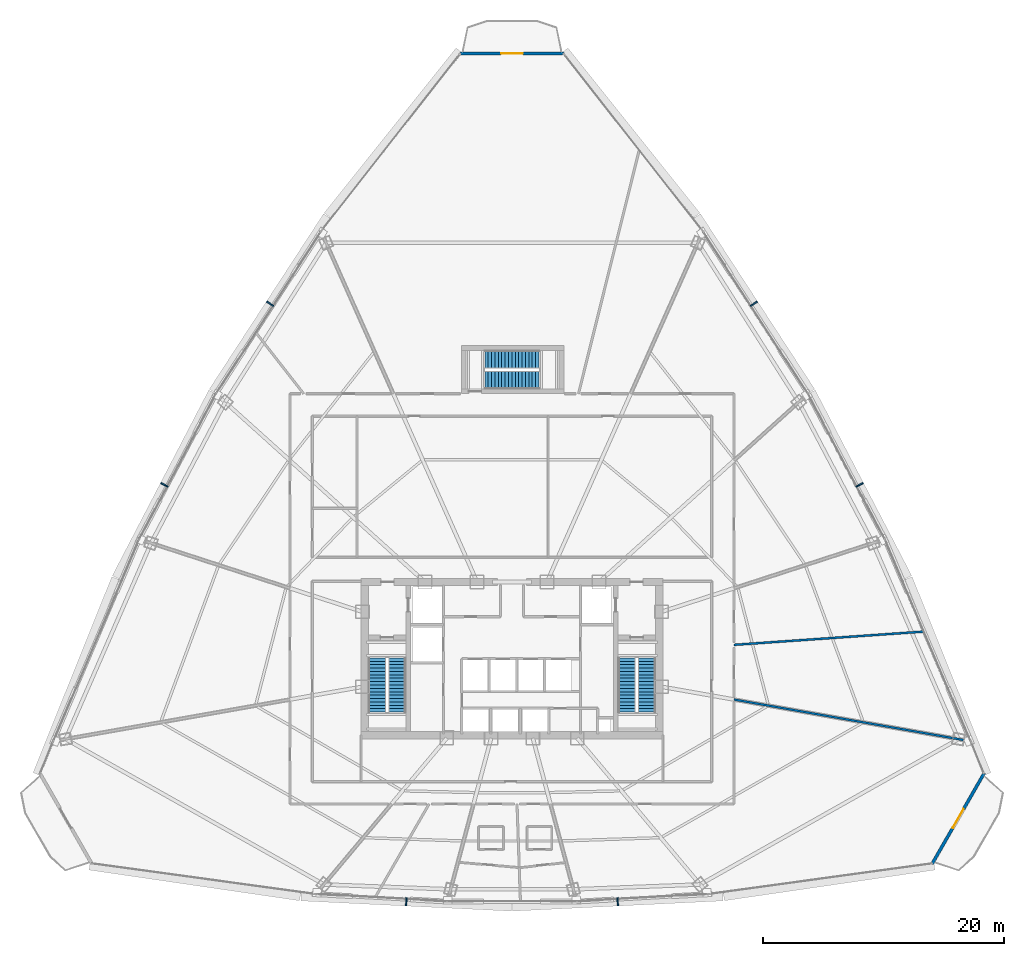
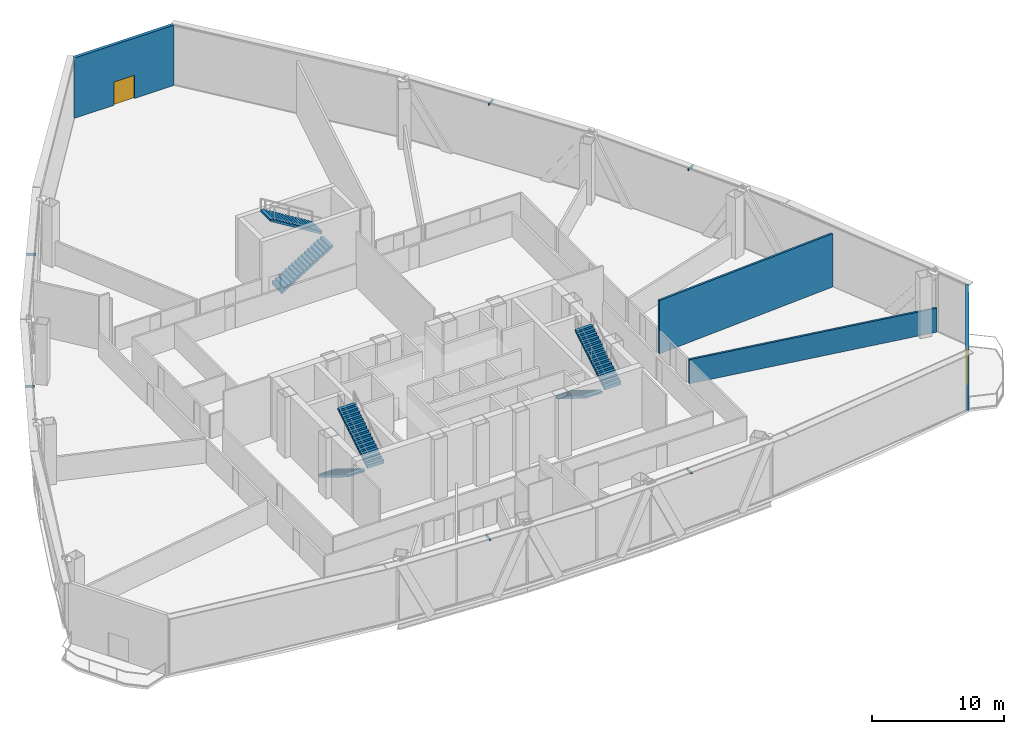
# One storey, part 36 of 40: 6 discrete accessories, 6 stair flights, 4 walls, 2 doors, 2 openings, 3 elements without a shape of their own.
"""IFC4 building model written with IfcOpenShell, lengths in metres."""

from ifc_helpers import new_model, si_unit, direction, frame, frame_2d, origin, origin_with_axes, origin_2d, place, context, subcontext, project, spatial, polyline, rectangle, outline, extrude, source, transform, mapped, material, layer, layer_set, type_object, element, fill, aggregate, save


model = new_model("IFC4")

# Units and contexts
model_context = context("Model", 3, precision=1e-05, world=origin(), true_north=direction((0.0, 1.0)))
body_context = subcontext(model_context, "Body", "Model", "MODEL_VIEW")
ifc_project = project(units=[si_unit("LENGTHUNIT", "METRE"), si_unit("AREAUNIT", "SQUARE_METRE"), si_unit("VOLUMEUNIT", "CUBIC_METRE"), si_unit("PLANEANGLEUNIT", "RADIAN"), si_unit("MASSUNIT", "GRAM", prefix="KILO"), si_unit("THERMODYNAMICTEMPERATUREUNIT", "KELVIN"), si_unit("POWERUNIT", "WATT")], contexts=[model_context])

# Site, building, storey
site_placement = place(None, origin())
site = spatial("IfcSite", under=ifc_project, at=site_placement, CompositionType="ELEMENT")
building_placement = place(site_placement, origin())
building = spatial("IfcBuilding", under=site, at=building_placement, Name="Yunzhuo Pagoda Commons", CompositionType="ELEMENT")
storey_placement = place(building_placement, frame((0.0, 0.0, 170.31005859375)))
storey = spatial("IfcBuildingStorey", under=building, at=storey_placement, Name="L43", CompositionType="ELEMENT", Elevation=170.31005859375)

# Wall, opening, door
ifc_material_1 = material(Name="Precast concrete C40", Category="concrete")
ifc_layer_1 = layer(ifc_material_1, 0.260009765625)
ifc_layer_set_1 = layer_set([ifc_layer_1], Name="Precast concrete C40")
wall_type_1 = type_object("IfcWallType", Name="W-BAL1 Corner Balcony Threshold Wall 260", PredefinedType="STANDARD", material=ifc_layer_set_1)
wall_1_placement = place(storey_placement, frame((82.813720703125, 16.820556640625, 0.0), z_axis=(0.0, 0.0, 1.0), x_axis=(0.497939858886, 0.867211564114, 0.0)))
wall_1 = element("IfcWall", 1, at=wall_1_placement, inside=storey, type_object=wall_type_1, Name="L43 corner balcony wall V2", PredefinedType="STANDARD", context=body_context, shape_type="SweptSolid", body=[
    extrude(rectangle(XDim=8.696044921875, YDim=0.260009765625, at=frame_2d((4.34814453125, 0.0))), origin(), (0.0, 0.0, 1.0), 5.56982421875),
])
opening_1_placement = place(wall_1_placement, frame((3.447998046875, 0.0, 0.0)))
opening_1 = element("IfcOpeningElement", 2, at=opening_1_placement, cuts=wall_1, Name="Opening D-BAL1", PredefinedType="OPENING", context=body_context, shape_type="SweptSolid", body=[
    extrude(rectangle(XDim=1.800048828125, YDim=2.14990234375, at=frame_2d((0.89990234375, 1.074951171875))), frame((0.0, 0.14013671875, 0.0), z_axis=(0.0, -1.0, 0.0), x_axis=(1.0, 0.0, 0.0)), (0.0, 0.0, 1.0), 0.280029296875),
])
ifc_material_2 = material(Name="Anodized aluminium frame and tempered glazed leaf", Category="aluminium")
door_type = type_object("IfcDoorType", Name="D-BAL1 Corner Balcony Sliding Glazed Door 1800x2150", OperationType="DOUBLE_DOOR_SLIDING", PredefinedType="DOOR", material=ifc_material_2)
shared_shape_1 = source(origin(), body_context, "Body", "SweptSolid", [
    extrude(rectangle(XDim=1.800048828125, YDim=2.14990234375, at=frame_2d((0.89990234375, 1.074951171875))), frame((0.0, 0.02490234375, 0.0), z_axis=(0.0, -1.0, 0.0), x_axis=(1.0, 0.0, 0.0)), (0.0, 0.0, 1.0), 0.050048828125),
])
door_1_placement = place(opening_1_placement, origin_with_axes())
door_1 = element("IfcDoor", 3, at=door_1_placement, inside=storey, type_object=door_type, Name="L43 corner balcony sliding door V2", OperationType="DOUBLE_DOOR_SLIDING", OverallHeight=2.14990234375, OverallWidth=1.800048828125, PredefinedType="DOOR", context=body_context, shape_type="MappedRepresentation", body=[
    mapped(shared_shape_1, transform((0.0, 0.0, 0.0), scale=1.0)),
])
fill(opening_1, door_1)

wall_2_placement = place(storey_placement, frame((52.33056640625, 83.997802734375, 0.0), z_axis=(0.0, 0.0, 1.0), x_axis=(-1.0, 0.0, 0.0)))
wall_2 = element("IfcWall", 4, at=wall_2_placement, inside=storey, type_object=wall_type_1, Name="L43 corner balcony wall V3", PredefinedType="STANDARD", context=body_context, shape_type="SweptSolid", body=[
    extrude(rectangle(XDim=8.6611328125, YDim=0.260009765625, at=frame_2d((4.33056640625, 0.0))), origin(), (0.0, 0.0, 1.0), 5.56982421875),
])
opening_2_placement = place(wall_2_placement, frame((3.4306640625, 0.0, 0.0)))
opening_2 = element("IfcOpeningElement", 5, at=opening_2_placement, cuts=wall_2, Name="Opening D-BAL1", PredefinedType="OPENING", context=body_context, shape_type="SweptSolid", body=[
    extrude(rectangle(XDim=1.800048828125, YDim=2.14990234375, at=frame_2d((0.89990234375, 1.074951171875))), frame((0.0, 0.14013671875, 0.0), z_axis=(0.0, -1.0, 0.0), x_axis=(1.0, 0.0, 0.0)), (0.0, 0.0, 1.0), 0.280029296875),
])
door_2_placement = place(opening_2_placement, origin_with_axes())
door_2 = element("IfcDoor", 6, at=door_2_placement, inside=storey, type_object=door_type, Name="L43 corner balcony sliding door V3", OperationType="DOUBLE_DOOR_SLIDING", OverallHeight=2.14990234375, OverallWidth=1.800048828125, PredefinedType="DOOR", context=body_context, shape_type="MappedRepresentation", body=[
    mapped(shared_shape_1, transform((0.0, 0.0, 0.0), scale=1.0)),
])
fill(opening_2, door_2)

# Walls
ifc_material_3 = material(Name="Gypsum plasterboard on acoustic stud")
ifc_layer_2 = layer(ifc_material_3, 0.175048828125)
ifc_layer_set_2 = layer_set([ifc_layer_2], Name="Gypsum plasterboard on acoustic stud")
wall_type_2 = type_object("IfcWallType", Name="W-PRT3 Mid-Zone Demising Wall 175", PredefinedType="PARTITIONING", material=ifc_layer_set_2)
wall_3_placement = place(storey_placement, frame((66.39990234375, 34.98681640625, 0.0), z_axis=(0.0, 0.0, 1.0), x_axis=(0.997565064246, 0.069741971556, 0.0)))
element("IfcWall", 7, at=wall_3_placement, inside=storey, type_object=wall_type_2, Name="L43 interior wall IW-L43-RAD01", PredefinedType="PARTITIONING", context=body_context, shape_type="SweptSolid", body=[
    extrude(rectangle(XDim=15.805419921875, YDim=0.175048828125, at=frame_2d((7.90283203125, 0.0))), origin(), (0.0, 0.0, 1.0), 4.919921875),
])
wall_4_placement = place(storey_placement, frame((66.39990234375, 30.45556640625, 0.0), z_axis=(0.0, 0.0, 1.0), x_axis=(0.984808700761, -0.173642802629, 0.0)))
element("IfcWall", 8, at=wall_4_placement, inside=storey, type_object=wall_type_2, Name="L43 interior wall IW-L43-RAD15", PredefinedType="PARTITIONING", context=body_context, shape_type="SweptSolid", body=[
    extrude(rectangle(XDim=19.93408203125, YDim=0.175048828125, at=frame_2d((9.967041015625, 0.0))), origin(), (0.0, 0.0, 1.0), 2.219970703125),
])

# Stair, stair flights
ifc_material_4 = material(Name="Concrete C40", Category="concrete")
stair_type_1 = type_object("IfcStairType", Name="ST-C1 Core Smokeproof Stair ST1", PredefinedType="HALF_TURN_STAIR", material=ifc_material_4)
stair_1_placement = place(storey_placement, origin())
stair_1 = element("IfcStair", 9, at=stair_1_placement, inside=storey, type_object=stair_type_1, Name="L43 Core smokeproof stair ST1", PredefinedType="HALF_TURN_STAIR")
stair_flight_type_1 = type_object("IfcStairFlightType", Name="STF-C1 Core Stair Flight 1450", PredefinedType="STRAIGHT", material=ifc_material_4)
shared_shape_2 = source(origin(), body_context, "Body", "SweptSolid", [
    extrude(outline(polyline([(0.0, -0.14990234375), (0.0, 0.0), (0.0, 0.172119140625), (0.280029296875, 0.172119140625), (0.280029296875, 0.34423828125), (0.56005859375, 0.34423828125), (0.56005859375, 0.51611328125), (0.840087890625, 0.51611328125), (0.840087890625, 0.688232421875), (1.1201171875, 0.688232421875), (1.1201171875, 0.8603515625), (1.39990234375, 0.8603515625), (1.39990234375, 1.032470703125), (1.679931640625, 1.032470703125), (1.679931640625, 1.204345703125), (1.9599609375, 1.204345703125), (1.9599609375, 1.37646484375), (2.239990234375, 1.37646484375), (2.239990234375, 1.548583984375), (2.52001953125, 1.548583984375), (2.52001953125, 1.720703125), (2.800048828125, 1.720703125), (2.800048828125, 1.892578125), (3.080078125, 1.892578125), (3.080078125, 2.064697265625), (3.360107421875, 2.064697265625), (3.360107421875, 2.23681640625), (3.639892578125, 2.23681640625), (3.639892578125, 2.408935546875), (3.919921875, 2.408935546875), (3.919921875, 2.580810546875), (4.199951171875, 2.580810546875), (4.199951171875, 2.7529296875), (4.47998046875, 2.7529296875), (4.47998046875, 2.925048828125), (4.47998046875, 2.576904296875), (0.286376953125, 0.0), (0.050048828125, -0.14990234375), (0.0, -0.14990234375)])), frame((0.0, 0.72509765625, 0.0), z_axis=(0.0, -1.0, 0.0), x_axis=(1.0, 0.0, 0.0)), (0.0, 0.0, 1.0), 1.449951171875),
])
stair_flight_1_placement = place(storey_placement, frame((36.824951171875, 33.89990234375, 0.0), z_axis=(0.0, 0.0, 1.0), x_axis=(0.0, -1.0, 0.0)))
stair_flight_1 = element("IfcStairFlight", 10, at=stair_flight_1_placement, type_object=stair_flight_type_1, Name="ST1 flight 1", NumberOfRisers=17, NumberOfTreads=16, PredefinedType="STRAIGHT", RiserHeight=0.172058824, TreadLength=0.28, context=body_context, shape_type="MappedRepresentation", body=[
    mapped(shared_shape_2, transform((0.0, 0.0, 0.0), scale=1.0)),
])
stair_flight_2_placement = place(storey_placement, frame((38.47509765625, 29.419921875, 2.925048828125), z_axis=(0.0, 0.0, 1.0), x_axis=(0.0, 1.0, 0.0)))
stair_flight_2 = element("IfcStairFlight", 11, at=stair_flight_2_placement, type_object=stair_flight_type_1, Name="ST1 flight 2", NumberOfRisers=17, NumberOfTreads=16, PredefinedType="STRAIGHT", RiserHeight=0.172058824, TreadLength=0.28, context=body_context, shape_type="MappedRepresentation", body=[
    mapped(shared_shape_2, transform((0.0, 0.0, 0.0), scale=1.0)),
])
aggregate(stair_1, [stair_flight_1, stair_flight_2])

stair_type_2 = type_object("IfcStairType", Name="ST-C2 Core Smokeproof Stair ST2", PredefinedType="HALF_TURN_STAIR", material=ifc_material_4)
stair_2_placement = place(storey_placement, origin())
stair_2 = element("IfcStair", 12, at=stair_2_placement, inside=storey, type_object=stair_type_2, Name="L43 Core smokeproof stair ST2", PredefinedType="HALF_TURN_STAIR")
stair_flight_type_2 = type_object("IfcStairFlightType", Name="STF-C2 Core Stair Flight 1460", PredefinedType="STRAIGHT", material=ifc_material_4)
stair_flight_3_placement = place(storey_placement, frame((57.52490234375, 33.89990234375, 0.0), z_axis=(0.0, 0.0, 1.0), x_axis=(0.0, -1.0, 0.0)))
stair_flight_3 = element("IfcStairFlight", 13, at=stair_flight_3_placement, type_object=stair_flight_type_2, Name="ST2 flight 1", NumberOfRisers=17, NumberOfTreads=16, PredefinedType="STRAIGHT", RiserHeight=0.172058824, TreadLength=0.28, context=body_context, shape_type="MappedRepresentation", body=[
    mapped(shared_shape_2, transform((0.0, 0.0, 0.0), scale=1.0)),
])
stair_flight_4_placement = place(storey_placement, frame((59.175048828125, 29.419921875, 2.925048828125), z_axis=(0.0, 0.0, 1.0), x_axis=(0.0, 1.0, 0.0)))
stair_flight_4 = element("IfcStairFlight", 14, at=stair_flight_4_placement, type_object=stair_flight_type_2, Name="ST2 flight 2", NumberOfRisers=17, NumberOfTreads=16, PredefinedType="STRAIGHT", RiserHeight=0.172058824, TreadLength=0.28, context=body_context, shape_type="MappedRepresentation", body=[
    mapped(shared_shape_2, transform((0.0, 0.0, 0.0), scale=1.0)),
])
aggregate(stair_2, [stair_flight_3, stair_flight_4])

stair_type_3 = type_object("IfcStairType", Name="ST-C3 North Tower Smokeproof Stair ST3", PredefinedType="HALF_TURN_STAIR", material=ifc_material_4)
stair_3_placement = place(storey_placement, origin())
stair_3 = element("IfcStair", 15, at=stair_3_placement, inside=storey, type_object=stair_type_3, Name="L43 North tower smokeproof stair ST3", PredefinedType="HALF_TURN_STAIR")
stair_flight_type_3 = type_object("IfcStairFlightType", Name="STF-C3 North Stair Flight 1500", PredefinedType="STRAIGHT", material=ifc_material_4)
shared_shape_3 = source(origin(), body_context, "Body", "SweptSolid", [
    extrude(outline(polyline([(0.0, -0.14990234375), (0.0, 0.0), (0.0, 0.172119140625), (0.280029296875, 0.172119140625), (0.280029296875, 0.34423828125), (0.56005859375, 0.34423828125), (0.56005859375, 0.51611328125), (0.840087890625, 0.51611328125), (0.840087890625, 0.688232421875), (1.1201171875, 0.688232421875), (1.1201171875, 0.8603515625), (1.39990234375, 0.8603515625), (1.39990234375, 1.032470703125), (1.679931640625, 1.032470703125), (1.679931640625, 1.204345703125), (1.9599609375, 1.204345703125), (1.9599609375, 1.37646484375), (2.239990234375, 1.37646484375), (2.239990234375, 1.548583984375), (2.52001953125, 1.548583984375), (2.52001953125, 1.720703125), (2.800048828125, 1.720703125), (2.800048828125, 1.892578125), (3.080078125, 1.892578125), (3.080078125, 2.064697265625), (3.360107421875, 2.064697265625), (3.360107421875, 2.23681640625), (3.639892578125, 2.23681640625), (3.639892578125, 2.408935546875), (3.919921875, 2.408935546875), (3.919921875, 2.580810546875), (4.199951171875, 2.580810546875), (4.199951171875, 2.7529296875), (4.47998046875, 2.7529296875), (4.47998046875, 2.925048828125), (4.47998046875, 2.576904296875), (0.286376953125, 0.0), (0.050048828125, -0.14990234375), (0.0, -0.14990234375)])), frame((0.0, 0.75, 0.0), z_axis=(0.0, -1.0, 0.0), x_axis=(1.0, 0.0, 0.0)), (0.0, 0.0, 1.0), 1.5),
])
stair_flight_5_placement = place(storey_placement, frame((45.75, 56.949951171875, 0.0), z_axis=(0.0, 0.0, 1.0), x_axis=(1.0, 0.0, 0.0)))
stair_flight_5 = element("IfcStairFlight", 16, at=stair_flight_5_placement, type_object=stair_flight_type_3, Name="ST3 flight 1", NumberOfRisers=17, NumberOfTreads=16, PredefinedType="STRAIGHT", RiserHeight=0.172058824, TreadLength=0.28, context=body_context, shape_type="MappedRepresentation", body=[
    mapped(shared_shape_3, transform((0.0, 0.0, 0.0), scale=1.0)),
])
stair_flight_6_placement = place(storey_placement, frame((50.22998046875, 58.64990234375, 2.925048828125), z_axis=(0.0, 0.0, 1.0), x_axis=(-1.0, 0.0, 0.0)))
stair_flight_6 = element("IfcStairFlight", 17, at=stair_flight_6_placement, type_object=stair_flight_type_3, Name="ST3 flight 2", NumberOfRisers=17, NumberOfTreads=16, PredefinedType="STRAIGHT", RiserHeight=0.172058824, TreadLength=0.28, context=body_context, shape_type="MappedRepresentation", body=[
    mapped(shared_shape_3, transform((0.0, 0.0, 0.0), scale=1.0)),
])
aggregate(stair_3, [stair_flight_5, stair_flight_6])

# Discrete accessories
ifc_material_5 = material(Name="Anodized aluminium 6063-T6", Category="aluminium")
discrete_accessory_type = type_object("IfcDiscreteAccessoryType", Name="BK-SUN1 Sunshade Outrigger Bracket", PredefinedType="BRACKET", material=ifc_material_5)
shared_shape_4 = source(origin(), body_context, "Body", "SweptSolid", [
    extrude(rectangle(XDim=0.1201171875, YDim=0.679931640625, at=origin_2d()), origin(), (0.0, 0.0, 1.0), 0.179931640625),
])
for number, where, z_axis, x_axis, name in (
    (18, (39.239990234375, 13.70556640625, 5.35986328125), (0.0, 0.0, 1.0), (0.998818043775, -0.04860571396, 0.0), "L43 sunshade outrigger bracket F1.2"),
    (19, (56.760009765625, 13.70556640625, 5.35986328125), (0.0, 0.0, 1.0), (0.998818043775, 0.04860571396, 0.0), "L43 sunshade outrigger bracket F1.3"),
    (20, (76.80810546875, 48.247314453125, 5.35986328125), (0.0, 0.0, 1.0), (-0.461206683033, 0.88729273384, 0.0), "L43 sunshade outrigger bracket F2.2"),
    (21, (68.0478515625, 63.25439453125, 5.35986328125), (0.0, 0.0, 1.0), (-0.545853380833, 0.837880711458, 0.0), "L43 sunshade outrigger bracket F2.3"),
    (22, (27.9521484375, 63.25439453125, 5.35986328125), (0.0, 0.0, 1.0), (-0.545853380833, -0.837880711458, 0.0), "L43 sunshade outrigger bracket F3.2"),
    (23, (19.19189453125, 48.247314453125, 5.35986328125), (0.0, 0.0, 1.0), (-0.461206683033, -0.88729273384, 0.0), "L43 sunshade outrigger bracket F3.3"),
):
    element("IfcDiscreteAccessory", number, at=place(storey_placement, frame(where, z_axis=z_axis, x_axis=x_axis)), inside=storey, type_object=discrete_accessory_type, Name=name, PredefinedType="BRACKET", context=body_context, shape_type="MappedRepresentation", body=[
        mapped(shared_shape_4, transform((0.0, 0.0, 0.0), scale=1.0)),
    ])

save(model, "model.ifc")
